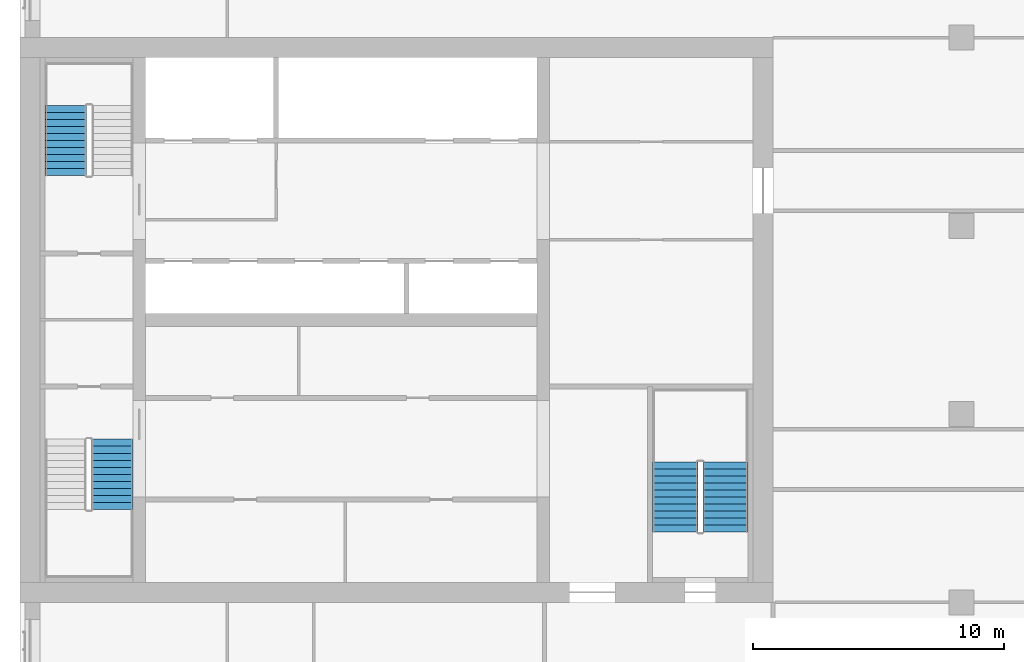
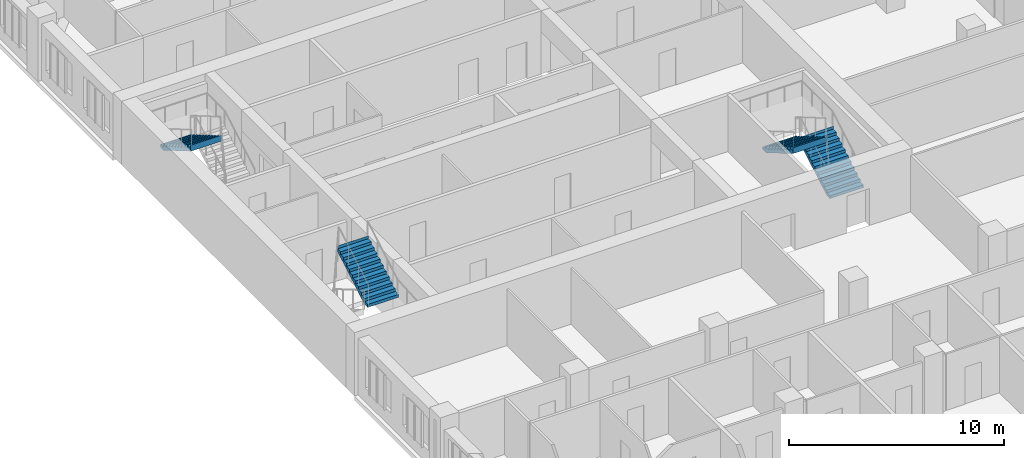
# One storey, part 12 of 14: 4 stair flights, 3 elements without a shape of their own.
"""IFC4 building model written with IfcOpenShell, lengths in metres."""

import ifcopenshell
import ifcopenshell.guid

model = None  # the IFC model being written
_history = None  # IfcOwnerHistory: only IFC2X3 demands one
_inside = {}  # id of a spatial element -> (the spatial element, [elements in it])
_under = {}  # id of a project, library or spatial element -> (it, [spatial elements below it])
_declared = {}  # id of a project -> (the project, [libraries it declares])
_typed = {}  # id of a type object -> (the type object, [elements of that type])
_made_of = {}  # id of a material, layer set ... -> (it, [elements and type objects made of it])


def new_model(schema):
    """Start an empty IFC model of exactly this schema.

    Asked for "IFC4X3", IfcOpenShell would pick the latest addendum, in which some entities
    have other attributes; the version numbers below select the first issue.
    IFC2X3 requires an IfcOwnerHistory on every rooted entity: one is made here for all.
    """
    global model, _history
    if schema == "IFC4X3":
        model = ifcopenshell.file(schema_version=(4, 3, 0, 0))
    else:
        model = ifcopenshell.file(schema=schema)
    _inside.clear()
    _under.clear()
    _declared.clear()
    _typed.clear()
    _made_of.clear()
    _history = None
    if model.schema == "IFC2X3":
        org = make("IfcOrganization", Name="unknown")
        user = make(
            "IfcPersonAndOrganization",
            ThePerson=make("IfcPerson", FamilyName="unknown"),
            TheOrganization=org,
        )
        app = make(
            "IfcApplication",
            ApplicationDeveloper=org,
            Version="unknown",
            ApplicationFullName="unknown",
            ApplicationIdentifier="unknown",
        )
        _history = make(
            "IfcOwnerHistory",
            OwningUser=user,
            OwningApplication=app,
            ChangeAction="ADDED",
            CreationDate=0,
        )
    return model


def make(cls, **values):
    """One entity of the class cls with the attributes given. An attribute that is None is left unset."""
    return model.create_entity(
        cls, **{name: value for name, value in values.items() if value is not None}
    )


def rooted(cls, **values):
    """An entity with a GlobalId (a new one), such as an element, a storey or a relation."""
    return make(cls, GlobalId=ifcopenshell.guid.new(), OwnerHistory=_history, **values)


def si_unit(unit_type, name, prefix=None):
    """IfcSIUnit, for example si_unit("LENGTHUNIT", "METRE", prefix="MILLI")."""
    return make("IfcSIUnit", UnitType=unit_type, Prefix=prefix, Name=name)


def assignment(units):
    """IfcUnitAssignment: the units of a project."""
    return None if units is None else make("IfcUnitAssignment", Units=units)


def point(xyz):
    """IfcCartesianPoint."""
    return None if xyz is None else make("IfcCartesianPoint", Coordinates=xyz)


def direction(xyz):
    """IfcDirection."""
    return None if xyz is None else make("IfcDirection", DirectionRatios=xyz)


def frame(location, z_axis=None, x_axis=None):
    """IfcAxis2Placement3D, a coordinate frame: its origin and axes. An axis left out is left unset."""
    return make(
        "IfcAxis2Placement3D",
        Location=point(location),
        Axis=direction(z_axis),
        RefDirection=direction(x_axis),
    )


def origin():
    """The frame at (0, 0, 0) with its axes left unset."""
    return frame((0.0, 0.0, 0.0))


def place(relative_to, where):
    """IfcLocalPlacement: puts the frame where relative to a parent placement (None: the world)."""
    return make(
        "IfcLocalPlacement", PlacementRelTo=relative_to, RelativePlacement=where
    )


def context(
    kind, dimensions, precision=None, world=None, true_north=None, identifier=None
):
    """IfcGeometricRepresentationContext, for example the 3D "Model" context."""
    return make(
        "IfcGeometricRepresentationContext",
        ContextIdentifier=identifier,
        ContextType=kind,
        CoordinateSpaceDimension=dimensions,
        Precision=precision,
        WorldCoordinateSystem=world,
        TrueNorth=true_north,
    )


def subcontext(parent, identifier, kind, view, scale=None):
    """IfcGeometricRepresentationSubContext, for example "Body" below "Model"."""
    return make(
        "IfcGeometricRepresentationSubContext",
        ContextIdentifier=identifier,
        ContextType=kind,
        ParentContext=parent,
        TargetScale=scale,
        TargetView=view,
    )


def project(units=None, contexts=None):
    """IfcProject with its units and contexts."""
    return rooted(
        "IfcProject",
        Name="project",
        RepresentationContexts=contexts,
        UnitsInContext=assignment(units),
    )


def spatial(cls, under=None, at=None, **own):
    """A site, building, storey or space (cls), placed at a placement, below another one or the project."""
    s = rooted(cls, ObjectPlacement=at, **own)
    if under is not None:
        _under.setdefault(under.id(), (under, []))[1].append(s)
    return s


def polyline(points):
    """IfcPolyline through the points."""
    return make("IfcPolyline", Points=[point(p) for p in points])


def outline(outer, holes=None, kind="AREA"):
    """IfcArbitraryClosedProfileDef: a profile drawn as a closed curve; with holes, ...WithVoids."""
    if holes is None:
        return make("IfcArbitraryClosedProfileDef", ProfileType=kind, OuterCurve=outer)
    return make(
        "IfcArbitraryProfileDefWithVoids",
        ProfileType=kind,
        OuterCurve=outer,
        InnerCurves=holes,
    )


def extrude(swept, where, along, depth):
    """IfcExtrudedAreaSolid: the profile swept, set in the frame where, extruded along a direction by depth."""
    return make(
        "IfcExtrudedAreaSolid",
        SweptArea=swept,
        Position=where,
        ExtrudedDirection=direction(along),
        Depth=depth,
    )


def shape(context_of_items, identifier, shape_type, items):
    """IfcShapeRepresentation: the items that make up one representation, for example the "Body"."""
    return make(
        "IfcShapeRepresentation",
        ContextOfItems=context_of_items,
        RepresentationIdentifier=identifier,
        RepresentationType=shape_type,
        Items=items,
    )


def material(Name=None, Category=None):
    """IfcMaterial."""
    return make("IfcMaterial", Name=Name, Category=Category)


def made_of(thing, what):
    """Note that an element or type object is made of a material, layer set ...; save() writes the relation."""
    if what is not None:
        _made_of.setdefault(what.id(), (what, []))[1].append(thing)
    return thing


def type_object(cls, material=None, **own):
    """A type object (cls), such as IfcWallType, which elements share."""
    return made_of(rooted(cls, **own), material)


def element(
    cls,
    number,
    at=None,
    inside=None,
    cuts=None,
    type_object=None,
    material=None,
    context=None,
    identifier="Body",
    shape_type=None,
    held_by="IfcProductDefinitionShape",
    body=None,
    shapes=None,
    **own,
):
    """One element of the class cls, such as IfcWall. Its Tag is "e" and its number.

    at: its placement. inside: the storey or other place that contains it. cuts: it is an
    opening in that element (IfcRelVoidsElement). A single representation is given by context,
    identifier, shape_type and body (its items); several are given by shapes. held_by: the class
    of the entity that holds the representations. save() writes the other relations.
    """
    e = rooted(cls, Tag="e%d" % number, ObjectPlacement=at, **own)
    if body is not None:
        shapes = [shape(context, identifier, shape_type, body)]
    if shapes is not None:
        e.Representation = make(held_by, Representations=shapes)
    if inside is not None:
        _inside.setdefault(inside.id(), (inside, []))[1].append(e)
    if cuts is not None:
        rooted(
            "IfcRelVoidsElement", RelatingBuildingElement=cuts, RelatedOpeningElement=e
        )
    if type_object is not None:
        _typed.setdefault(type_object.id(), (type_object, []))[1].append(e)
    return made_of(e, material)


def aggregate(whole, parts):
    """IfcRelAggregates: a whole, such as a stair, and the parts it consists of."""
    return rooted("IfcRelAggregates", RelatingObject=whole, RelatedObjects=parts)


def save(model, path):
    """Write the relations noted so far, then the file.

    IfcRelAggregates (storeys below a building ...), IfcRelContainedInSpatialStructure (elements
    in a storey), IfcRelDefinesByType, IfcRelAssociatesMaterial and IfcRelDeclares: one each for
    every whole, place, type object, material and project.
    """
    for whole, parts in _under.values():
        aggregate(whole, parts)
    for where, things in _inside.values():
        rooted(
            "IfcRelContainedInSpatialStructure",
            RelatedElements=things,
            RelatingStructure=where,
        )
    for kind, things in _typed.values():
        rooted("IfcRelDefinesByType", RelatedObjects=things, RelatingType=kind)
    for what, things in _made_of.values():
        rooted("IfcRelAssociatesMaterial", RelatedObjects=things, RelatingMaterial=what)
    for by, libraries in _declared.values():
        rooted("IfcRelDeclares", RelatingContext=by, RelatedDefinitions=libraries)
    model.write(path)


model = new_model("IFC4")

# Units and contexts
model_context = context("Model", 3, precision=1e-05, world=origin(), true_north=direction((0.0, 1.0)))
body_context = subcontext(model_context, "Body", "Model", "MODEL_VIEW")
ifc_project = project(units=[si_unit("LENGTHUNIT", "METRE"), si_unit("AREAUNIT", "SQUARE_METRE"), si_unit("VOLUMEUNIT", "CUBIC_METRE"), si_unit("PLANEANGLEUNIT", "RADIAN"), si_unit("MASSUNIT", "GRAM", prefix="KILO")], contexts=[model_context])

# Site, building, storey
site_placement = place(None, origin())
site = spatial("IfcSite", under=ifc_project, at=site_placement, CompositionType="ELEMENT")
building_placement = place(site_placement, origin())
building = spatial("IfcBuilding", under=site, at=building_placement, Name="Tamorin Gate", CompositionType="ELEMENT")
storey_placement = place(building_placement, frame((0.0, 0.0, 162.60009765625)))
storey = spatial("IfcBuildingStorey", under=building, at=storey_placement, Name="L40", CompositionType="ELEMENT", Elevation=162.60009765625)

# Stair, stair flight
ifc_material = material(Name="Concrete C40/50", Category="concrete")
stair_type = type_object("IfcStairType", Name="Exit stair", PredefinedType="HALF_TURN_STAIR", material=ifc_material)
stair_1_placement = place(storey_placement, origin())
stair_1 = element("IfcStair", 1, at=stair_1_placement, inside=storey, type_object=stair_type, Name="L40 stair ST1", PredefinedType="HALF_TURN_STAIR")
stair_flight_type = type_object("IfcStairFlightType", Name="Exit stair flight", PredefinedType="STRAIGHT", material=ifc_material)
stair_flight_1_placement = place(storey_placement, frame((33.675048828125, 63.699951171875, 1.7998046875), z_axis=(0.0, 0.0, 1.0), x_axis=(0.0, 1.0, 0.0)))
stair_flight_1 = element("IfcStairFlight", 2, at=stair_flight_1_placement, type_object=stair_flight_type, Name="ST1 flight 2", NumberOfRisers=11, NumberOfTreads=10, PredefinedType="STRAIGHT", RiserHeight=0.163636364, TreadLength=0.28, context=body_context, shape_type="SweptSolid", body=[
    extrude(outline(polyline([(-0.00048828125, 0.0), (-0.00048828125, 0.001708984375), (-0.00048828125, 0.003173828125), (-0.00048828125, 0.0048828125), (-0.00048828125, 0.006591796875), (-0.00048828125, 0.008056640625), (-0.00048828125, 0.009765625), (-0.00048828125, 0.01123046875), (-0.00048828125, 0.012939453125), (-0.00048828125, 0.0146484375), (-0.00048828125, 0.01611328125), (-0.00048828125, 0.017822265625), (-0.00048828125, 0.01953125), (-0.00048828125, 0.02099609375), (-0.00048828125, 0.022705078125), (-0.00048828125, 0.0244140625), (-0.00048828125, 0.02587890625), (-0.00048828125, 0.027587890625), (-0.00048828125, 0.029052734375), (-0.00048828125, 0.03076171875), (-0.00048828125, 0.032470703125), (-0.00048828125, 0.033935546875), (-0.00048828125, 0.03564453125), (-0.00048828125, 0.037353515625), (-0.00048828125, 0.038818359375), (-0.00048828125, 0.04052734375), (-0.00048828125, 0.042236328125), (-0.00048828125, 0.043701171875), (-0.00048828125, 0.04541015625), (-0.00048828125, 0.046875), (-0.00048828125, 0.048583984375), (-0.00048828125, 0.05029296875), (-0.00048828125, 0.0517578125), (-0.00048828125, 0.053466796875), (-0.00048828125, 0.05517578125), (-0.00048828125, 0.056640625), (-0.00048828125, 0.058349609375), (-0.00048828125, 0.06005859375), (-0.00048828125, 0.0615234375), (-0.00048828125, 0.063232421875), (-0.00048828125, 0.064697265625), (-0.00048828125, 0.06640625), (-0.00048828125, 0.068115234375), (-0.00048828125, 0.069580078125), (-0.00048828125, 0.0712890625), (-0.00048828125, 0.072998046875), (-0.00048828125, 0.074462890625), (-0.00048828125, 0.076171875), (-0.00048828125, 0.077880859375), (-0.00048828125, 0.079345703125), (-0.00048828125, 0.0810546875), (-0.00048828125, 0.08251953125), (-0.00048828125, 0.084228515625), (-0.00048828125, 0.0859375), (-0.00048828125, 0.08740234375), (-0.00048828125, 0.089111328125), (-0.00048828125, 0.0908203125), (-0.00048828125, 0.09228515625), (-0.00048828125, 0.093994140625), (-0.00048828125, 0.095703125), (-0.00048828125, 0.09716796875), (-0.00048828125, 0.098876953125), (-0.00048828125, 0.100341796875), (-0.00048828125, 0.10205078125), (-0.00048828125, 0.103759765625), (-0.00048828125, 0.105224609375), (-0.00048828125, 0.10693359375), (-0.00048828125, 0.108642578125), (-0.00048828125, 0.110107421875), (-0.00048828125, 0.11181640625), (-0.00048828125, 0.113525390625), (-0.00048828125, 0.114990234375), (-0.00048828125, 0.11669921875), (-0.00048828125, 0.1181640625), (-0.00048828125, 0.119873046875), (-0.00048828125, 0.12158203125), (-0.00048828125, 0.123046875), (-0.00048828125, 0.124755859375), (-0.00048828125, 0.12646484375), (-0.00048828125, 0.1279296875), (-0.00048828125, 0.129638671875), (-0.00048828125, 0.13134765625), (-0.00048828125, 0.1328125), (-0.00048828125, 0.134521484375), (-0.00048828125, 0.135986328125), (-0.00048828125, 0.1376953125), (-0.00048828125, 0.139404296875), (-0.00048828125, 0.140869140625), (-0.00048828125, 0.142578125), (-0.00048828125, 0.144287109375), (-0.00048828125, 0.145751953125), (-0.00048828125, 0.1474609375), (-0.00048828125, 0.149169921875), (-0.00048828125, 0.150634765625), (-0.00048828125, 0.15234375), (-0.00048828125, 0.15380859375), (-0.00048828125, 0.155517578125), (-0.00048828125, 0.1572265625), (-0.00048828125, 0.15869140625), (-0.00048828125, 0.160400390625), (-0.00048828125, 0.162109375), (-0.00048828125, 0.16357421875), (0.280029296875, 0.16357421875), (0.280029296875, 0.327392578125), (0.56005859375, 0.327392578125), (0.56005859375, 0.490966796875), (0.840087890625, 0.490966796875), (0.840087890625, 0.654541015625), (1.1201171875, 0.654541015625), (1.1201171875, 0.818115234375), (1.39990234375, 0.818115234375), (1.39990234375, 0.98193359375), (1.679931640625, 0.98193359375), (1.679931640625, 1.1455078125), (1.9599609375, 1.1455078125), (1.9599609375, 1.30908203125), (2.239990234375, 1.30908203125), (2.239990234375, 1.47265625), (2.52001953125, 1.47265625), (2.52001953125, 1.636474609375), (2.800048828125, 1.636474609375), (2.800048828125, 1.800048828125), (2.800537109375, 1.800048828125), (2.800537109375, 1.796630859375), (2.800537109375, 1.793212890625), (2.800537109375, 1.7900390625), (2.800537109375, 1.78662109375), (2.800537109375, 1.783203125), (2.800537109375, 1.780029296875), (2.800537109375, 1.776611328125), (2.800537109375, 1.773193359375), (2.800537109375, 1.77001953125), (2.800537109375, 1.7666015625), (2.800537109375, 1.76318359375), (2.800537109375, 1.760009765625), (2.800537109375, 1.756591796875), (2.800537109375, 1.753173828125), (2.800537109375, 1.75), (2.800537109375, 1.74658203125), (2.800537109375, 1.7431640625), (2.800537109375, 1.739990234375), (2.800537109375, 1.736572265625), (2.800537109375, 1.733154296875), (2.800537109375, 1.72998046875), (2.800537109375, 1.7265625), (2.800537109375, 1.72314453125), (2.800537109375, 1.719970703125), (2.800537109375, 1.716552734375), (2.800537109375, 1.713134765625), (2.800537109375, 1.7099609375), (2.800537109375, 1.70654296875), (2.800537109375, 1.703125), (2.800537109375, 1.69970703125), (2.800537109375, 1.696533203125), (2.800537109375, 1.693115234375), (2.800537109375, 1.689697265625), (2.800537109375, 1.6865234375), (2.800537109375, 1.68310546875), (2.800537109375, 1.6796875), (2.800537109375, 1.676513671875), (2.800537109375, 1.673095703125), (2.800537109375, 1.669677734375), (2.800537109375, 1.66650390625), (2.800537109375, 1.6630859375), (2.800537109375, 1.65966796875), (2.800537109375, 1.656494140625), (2.800537109375, 1.653076171875), (2.800537109375, 1.649658203125), (2.800537109375, 1.646484375), (2.800537109375, 1.64306640625), (2.800537109375, 1.6396484375), (2.800537109375, 1.636474609375), (2.800537109375, 1.633056640625), (2.800537109375, 1.629638671875), (2.800537109375, 1.62646484375), (2.800537109375, 1.623046875), (2.800537109375, 1.61962890625), (2.800537109375, 1.616455078125), (2.800537109375, 1.613037109375), (2.800537109375, 1.609619140625), (2.800537109375, 1.6064453125), (2.800537109375, 1.60302734375), (2.800537109375, 1.599609375), (2.800537109375, 1.59619140625), (2.800537109375, 1.593017578125), (2.800537109375, 1.589599609375), (2.800537109375, 1.586181640625), (2.800537109375, 1.5830078125), (2.800537109375, 1.57958984375), (2.800537109375, 1.576171875), (2.800537109375, 1.572998046875), (2.800537109375, 1.569580078125), (2.800537109375, 1.566162109375), (2.800537109375, 1.56298828125), (2.800537109375, 1.5595703125), (2.800537109375, 1.55615234375), (2.800537109375, 1.552978515625), (2.800537109375, 1.549560546875), (2.800537109375, 1.546142578125), (2.800537109375, 1.54296875), (2.800537109375, 1.53955078125), (2.800537109375, 1.5361328125), (2.800537109375, 1.532958984375), (2.800537109375, 1.529541015625), (2.800537109375, 1.526123046875), (2.800537109375, 1.52294921875), (2.800537109375, 1.51953125), (2.800537109375, 1.51611328125), (2.800537109375, 1.512939453125), (2.800537109375, 1.509521484375), (2.800537109375, 1.506103515625), (2.800537109375, 1.5029296875), (2.800537109375, 1.49951171875), (2.800537109375, 1.49609375), (2.800537109375, 1.49267578125), (2.800537109375, 1.489501953125), (2.800537109375, 1.486083984375), (2.800537109375, 1.482666015625), (2.800537109375, 1.4794921875), (2.800537109375, 1.47607421875), (2.800537109375, 1.47265625), (2.800537109375, 1.469482421875), (2.800537109375, 1.466064453125), (2.800537109375, 1.462646484375), (2.800048828125, 1.462646484375), (0.297119140625, 0.0), (-0.00048828125, 0.0)])), frame((0.0, 0.824951171875, 0.0), z_axis=(0.0, -1.0, 0.0), x_axis=(1.0, 0.0, 0.0)), (0.0, 0.0, 1.0), 1.64990234375),
])
aggregate(stair_1, [stair_flight_1])

stair_2_placement = place(storey_placement, origin())
stair_2 = element("IfcStair", 3, at=stair_2_placement, inside=storey, type_object=stair_type, Name="L40 stair ST2", PredefinedType="HALF_TURN_STAIR")
stair_flight_2_placement = place(storey_placement, frame((31.824951171875, 79.800048828125, 1.7998046875), z_axis=(0.0, 0.0, 1.0), x_axis=(0.0, -1.0, 0.0)))
stair_flight_2 = element("IfcStairFlight", 4, at=stair_flight_2_placement, type_object=stair_flight_type, Name="ST2 flight 2", NumberOfRisers=11, NumberOfTreads=10, PredefinedType="STRAIGHT", RiserHeight=0.163636364, TreadLength=0.28, context=body_context, shape_type="SweptSolid", body=[
    extrude(outline(polyline([(-0.00048828125, 0.0), (-0.00048828125, 0.001708984375), (-0.00048828125, 0.003173828125), (-0.00048828125, 0.0048828125), (-0.00048828125, 0.006591796875), (-0.00048828125, 0.008056640625), (-0.00048828125, 0.009765625), (-0.00048828125, 0.01123046875), (-0.00048828125, 0.012939453125), (-0.00048828125, 0.0146484375), (-0.00048828125, 0.01611328125), (-0.00048828125, 0.017822265625), (-0.00048828125, 0.01953125), (-0.00048828125, 0.02099609375), (-0.00048828125, 0.022705078125), (-0.00048828125, 0.0244140625), (-0.00048828125, 0.02587890625), (-0.00048828125, 0.027587890625), (-0.00048828125, 0.029052734375), (-0.00048828125, 0.03076171875), (-0.00048828125, 0.032470703125), (-0.00048828125, 0.033935546875), (-0.00048828125, 0.03564453125), (-0.00048828125, 0.037353515625), (-0.00048828125, 0.038818359375), (-0.00048828125, 0.04052734375), (-0.00048828125, 0.042236328125), (-0.00048828125, 0.043701171875), (-0.00048828125, 0.04541015625), (-0.00048828125, 0.046875), (-0.00048828125, 0.048583984375), (-0.00048828125, 0.05029296875), (-0.00048828125, 0.0517578125), (-0.00048828125, 0.053466796875), (-0.00048828125, 0.05517578125), (-0.00048828125, 0.056640625), (-0.00048828125, 0.058349609375), (-0.00048828125, 0.06005859375), (-0.00048828125, 0.0615234375), (-0.00048828125, 0.063232421875), (-0.00048828125, 0.064697265625), (-0.00048828125, 0.06640625), (-0.00048828125, 0.068115234375), (-0.00048828125, 0.069580078125), (-0.00048828125, 0.0712890625), (-0.00048828125, 0.072998046875), (-0.00048828125, 0.074462890625), (-0.00048828125, 0.076171875), (-0.00048828125, 0.077880859375), (-0.00048828125, 0.079345703125), (-0.00048828125, 0.0810546875), (-0.00048828125, 0.08251953125), (-0.00048828125, 0.084228515625), (-0.00048828125, 0.0859375), (-0.00048828125, 0.08740234375), (-0.00048828125, 0.089111328125), (-0.00048828125, 0.0908203125), (-0.00048828125, 0.09228515625), (-0.00048828125, 0.093994140625), (-0.00048828125, 0.095703125), (-0.00048828125, 0.09716796875), (-0.00048828125, 0.098876953125), (-0.00048828125, 0.100341796875), (-0.00048828125, 0.10205078125), (-0.00048828125, 0.103759765625), (-0.00048828125, 0.105224609375), (-0.00048828125, 0.10693359375), (-0.00048828125, 0.108642578125), (-0.00048828125, 0.110107421875), (-0.00048828125, 0.11181640625), (-0.00048828125, 0.113525390625), (-0.00048828125, 0.114990234375), (-0.00048828125, 0.11669921875), (-0.00048828125, 0.1181640625), (-0.00048828125, 0.119873046875), (-0.00048828125, 0.12158203125), (-0.00048828125, 0.123046875), (-0.00048828125, 0.124755859375), (-0.00048828125, 0.12646484375), (-0.00048828125, 0.1279296875), (-0.00048828125, 0.129638671875), (-0.00048828125, 0.13134765625), (-0.00048828125, 0.1328125), (-0.00048828125, 0.134521484375), (-0.00048828125, 0.135986328125), (-0.00048828125, 0.1376953125), (-0.00048828125, 0.139404296875), (-0.00048828125, 0.140869140625), (-0.00048828125, 0.142578125), (-0.00048828125, 0.144287109375), (-0.00048828125, 0.145751953125), (-0.00048828125, 0.1474609375), (-0.00048828125, 0.149169921875), (-0.00048828125, 0.150634765625), (-0.00048828125, 0.15234375), (-0.00048828125, 0.15380859375), (-0.00048828125, 0.155517578125), (-0.00048828125, 0.1572265625), (-0.00048828125, 0.15869140625), (-0.00048828125, 0.160400390625), (-0.00048828125, 0.162109375), (-0.00048828125, 0.16357421875), (0.280029296875, 0.16357421875), (0.280029296875, 0.327392578125), (0.56005859375, 0.327392578125), (0.56005859375, 0.490966796875), (0.840087890625, 0.490966796875), (0.840087890625, 0.654541015625), (1.1201171875, 0.654541015625), (1.1201171875, 0.818115234375), (1.39990234375, 0.818115234375), (1.39990234375, 0.98193359375), (1.679931640625, 0.98193359375), (1.679931640625, 1.1455078125), (1.9599609375, 1.1455078125), (1.9599609375, 1.30908203125), (2.239990234375, 1.30908203125), (2.239990234375, 1.47265625), (2.52001953125, 1.47265625), (2.52001953125, 1.636474609375), (2.800048828125, 1.636474609375), (2.800048828125, 1.800048828125), (2.800537109375, 1.800048828125), (2.800537109375, 1.796630859375), (2.800537109375, 1.793212890625), (2.800537109375, 1.7900390625), (2.800537109375, 1.78662109375), (2.800537109375, 1.783203125), (2.800537109375, 1.780029296875), (2.800537109375, 1.776611328125), (2.800537109375, 1.773193359375), (2.800537109375, 1.77001953125), (2.800537109375, 1.7666015625), (2.800537109375, 1.76318359375), (2.800537109375, 1.760009765625), (2.800537109375, 1.756591796875), (2.800537109375, 1.753173828125), (2.800537109375, 1.75), (2.800537109375, 1.74658203125), (2.800537109375, 1.7431640625), (2.800537109375, 1.739990234375), (2.800537109375, 1.736572265625), (2.800537109375, 1.733154296875), (2.800537109375, 1.72998046875), (2.800537109375, 1.7265625), (2.800537109375, 1.72314453125), (2.800537109375, 1.719970703125), (2.800537109375, 1.716552734375), (2.800537109375, 1.713134765625), (2.800537109375, 1.7099609375), (2.800537109375, 1.70654296875), (2.800537109375, 1.703125), (2.800537109375, 1.69970703125), (2.800537109375, 1.696533203125), (2.800537109375, 1.693115234375), (2.800537109375, 1.689697265625), (2.800537109375, 1.6865234375), (2.800537109375, 1.68310546875), (2.800537109375, 1.6796875), (2.800537109375, 1.676513671875), (2.800537109375, 1.673095703125), (2.800537109375, 1.669677734375), (2.800537109375, 1.66650390625), (2.800537109375, 1.6630859375), (2.800537109375, 1.65966796875), (2.800537109375, 1.656494140625), (2.800537109375, 1.653076171875), (2.800537109375, 1.649658203125), (2.800537109375, 1.646484375), (2.800537109375, 1.64306640625), (2.800537109375, 1.6396484375), (2.800537109375, 1.636474609375), (2.800537109375, 1.633056640625), (2.800537109375, 1.629638671875), (2.800537109375, 1.62646484375), (2.800537109375, 1.623046875), (2.800537109375, 1.61962890625), (2.800537109375, 1.616455078125), (2.800537109375, 1.613037109375), (2.800537109375, 1.609619140625), (2.800537109375, 1.6064453125), (2.800537109375, 1.60302734375), (2.800537109375, 1.599609375), (2.800537109375, 1.59619140625), (2.800537109375, 1.593017578125), (2.800537109375, 1.589599609375), (2.800537109375, 1.586181640625), (2.800537109375, 1.5830078125), (2.800537109375, 1.57958984375), (2.800537109375, 1.576171875), (2.800537109375, 1.572998046875), (2.800537109375, 1.569580078125), (2.800537109375, 1.566162109375), (2.800537109375, 1.56298828125), (2.800537109375, 1.5595703125), (2.800537109375, 1.55615234375), (2.800537109375, 1.552978515625), (2.800537109375, 1.549560546875), (2.800537109375, 1.546142578125), (2.800537109375, 1.54296875), (2.800537109375, 1.53955078125), (2.800537109375, 1.5361328125), (2.800537109375, 1.532958984375), (2.800537109375, 1.529541015625), (2.800537109375, 1.526123046875), (2.800537109375, 1.52294921875), (2.800537109375, 1.51953125), (2.800537109375, 1.51611328125), (2.800537109375, 1.512939453125), (2.800537109375, 1.509521484375), (2.800537109375, 1.506103515625), (2.800537109375, 1.5029296875), (2.800537109375, 1.49951171875), (2.800537109375, 1.49609375), (2.800537109375, 1.49267578125), (2.800537109375, 1.489501953125), (2.800537109375, 1.486083984375), (2.800537109375, 1.482666015625), (2.800537109375, 1.4794921875), (2.800537109375, 1.47607421875), (2.800537109375, 1.47265625), (2.800537109375, 1.469482421875), (2.800537109375, 1.466064453125), (2.800537109375, 1.462646484375), (2.800048828125, 1.462646484375), (0.297119140625, 0.0), (-0.00048828125, 0.0)])), frame((0.0, 0.824951171875, 0.0), z_axis=(0.0, -1.0, 0.0), x_axis=(1.0, 0.0, 0.0)), (0.0, 0.0, 1.0), 1.64990234375),
])
aggregate(stair_2, [stair_flight_2])

# Stair, stair flights
stair_3_placement = place(storey_placement, origin())
stair_3 = element("IfcStair", 5, at=stair_3_placement, inside=storey, type_object=stair_type, Name="L40 stair ST3", PredefinedType="HALF_TURN_STAIR")
stair_flight_3_placement = place(storey_placement, frame((58.10009765625, 62.800048828125, 0.0), z_axis=(0.0, 0.0, 1.0), x_axis=(0.0, 1.0, 0.0)))
stair_flight_3 = element("IfcStairFlight", 6, at=stair_flight_3_placement, type_object=stair_flight_type, Name="ST3 flight 1", NumberOfRisers=11, NumberOfTreads=10, PredefinedType="STRAIGHT", RiserHeight=0.163636364, TreadLength=0.28, context=body_context, shape_type="SweptSolid", body=[
    extrude(outline(polyline([(-0.00048828125, 0.0), (-0.00048828125, 0.001708984375), (-0.00048828125, 0.003173828125), (-0.00048828125, 0.0048828125), (-0.00048828125, 0.006591796875), (-0.00048828125, 0.008056640625), (-0.00048828125, 0.009765625), (-0.00048828125, 0.01123046875), (-0.00048828125, 0.012939453125), (-0.00048828125, 0.0146484375), (-0.00048828125, 0.01611328125), (-0.00048828125, 0.017822265625), (-0.00048828125, 0.01953125), (-0.00048828125, 0.02099609375), (-0.00048828125, 0.022705078125), (-0.00048828125, 0.0244140625), (-0.00048828125, 0.02587890625), (-0.00048828125, 0.027587890625), (-0.00048828125, 0.029052734375), (-0.00048828125, 0.03076171875), (-0.00048828125, 0.032470703125), (-0.00048828125, 0.033935546875), (-0.00048828125, 0.03564453125), (-0.00048828125, 0.037353515625), (-0.00048828125, 0.038818359375), (-0.00048828125, 0.04052734375), (-0.00048828125, 0.042236328125), (-0.00048828125, 0.043701171875), (-0.00048828125, 0.04541015625), (-0.00048828125, 0.046875), (-0.00048828125, 0.048583984375), (-0.00048828125, 0.05029296875), (-0.00048828125, 0.0517578125), (-0.00048828125, 0.053466796875), (-0.00048828125, 0.05517578125), (-0.00048828125, 0.056640625), (-0.00048828125, 0.058349609375), (-0.00048828125, 0.06005859375), (-0.00048828125, 0.0615234375), (-0.00048828125, 0.063232421875), (-0.00048828125, 0.064697265625), (-0.00048828125, 0.06640625), (-0.00048828125, 0.068115234375), (-0.00048828125, 0.069580078125), (-0.00048828125, 0.0712890625), (-0.00048828125, 0.072998046875), (-0.00048828125, 0.074462890625), (-0.00048828125, 0.076171875), (-0.00048828125, 0.077880859375), (-0.00048828125, 0.079345703125), (-0.00048828125, 0.0810546875), (-0.00048828125, 0.08251953125), (-0.00048828125, 0.084228515625), (-0.00048828125, 0.0859375), (-0.00048828125, 0.08740234375), (-0.00048828125, 0.089111328125), (-0.00048828125, 0.0908203125), (-0.00048828125, 0.09228515625), (-0.00048828125, 0.093994140625), (-0.00048828125, 0.095703125), (-0.00048828125, 0.09716796875), (-0.00048828125, 0.098876953125), (-0.00048828125, 0.100341796875), (-0.00048828125, 0.10205078125), (-0.00048828125, 0.103759765625), (-0.00048828125, 0.105224609375), (-0.00048828125, 0.10693359375), (-0.00048828125, 0.108642578125), (-0.00048828125, 0.110107421875), (-0.00048828125, 0.11181640625), (-0.00048828125, 0.113525390625), (-0.00048828125, 0.114990234375), (-0.00048828125, 0.11669921875), (-0.00048828125, 0.1181640625), (-0.00048828125, 0.119873046875), (-0.00048828125, 0.12158203125), (-0.00048828125, 0.123046875), (-0.00048828125, 0.124755859375), (-0.00048828125, 0.12646484375), (-0.00048828125, 0.1279296875), (-0.00048828125, 0.129638671875), (-0.00048828125, 0.13134765625), (-0.00048828125, 0.1328125), (-0.00048828125, 0.134521484375), (-0.00048828125, 0.135986328125), (-0.00048828125, 0.1376953125), (-0.00048828125, 0.139404296875), (-0.00048828125, 0.140869140625), (-0.00048828125, 0.142578125), (-0.00048828125, 0.144287109375), (-0.00048828125, 0.145751953125), (-0.00048828125, 0.1474609375), (-0.00048828125, 0.149169921875), (-0.00048828125, 0.150634765625), (-0.00048828125, 0.15234375), (-0.00048828125, 0.15380859375), (-0.00048828125, 0.155517578125), (-0.00048828125, 0.1572265625), (-0.00048828125, 0.15869140625), (-0.00048828125, 0.160400390625), (-0.00048828125, 0.162109375), (-0.00048828125, 0.16357421875), (0.280029296875, 0.16357421875), (0.280029296875, 0.327392578125), (0.56005859375, 0.327392578125), (0.56005859375, 0.490966796875), (0.840087890625, 0.490966796875), (0.840087890625, 0.654541015625), (1.1201171875, 0.654541015625), (1.1201171875, 0.818115234375), (1.39990234375, 0.818115234375), (1.39990234375, 0.98193359375), (1.679931640625, 0.98193359375), (1.679931640625, 1.1455078125), (1.9599609375, 1.1455078125), (1.9599609375, 1.30908203125), (2.239990234375, 1.30908203125), (2.239990234375, 1.47265625), (2.52001953125, 1.47265625), (2.52001953125, 1.636474609375), (2.800048828125, 1.636474609375), (2.800048828125, 1.800048828125), (2.800537109375, 1.800048828125), (2.800537109375, 1.796630859375), (2.800537109375, 1.793212890625), (2.800537109375, 1.7900390625), (2.800537109375, 1.78662109375), (2.800537109375, 1.783203125), (2.800537109375, 1.780029296875), (2.800537109375, 1.776611328125), (2.800537109375, 1.773193359375), (2.800537109375, 1.77001953125), (2.800537109375, 1.7666015625), (2.800537109375, 1.76318359375), (2.800537109375, 1.760009765625), (2.800537109375, 1.756591796875), (2.800537109375, 1.753173828125), (2.800537109375, 1.75), (2.800537109375, 1.74658203125), (2.800537109375, 1.7431640625), (2.800537109375, 1.739990234375), (2.800537109375, 1.736572265625), (2.800537109375, 1.733154296875), (2.800537109375, 1.72998046875), (2.800537109375, 1.7265625), (2.800537109375, 1.72314453125), (2.800537109375, 1.719970703125), (2.800537109375, 1.716552734375), (2.800537109375, 1.713134765625), (2.800537109375, 1.7099609375), (2.800537109375, 1.70654296875), (2.800537109375, 1.703125), (2.800537109375, 1.69970703125), (2.800537109375, 1.696533203125), (2.800537109375, 1.693115234375), (2.800537109375, 1.689697265625), (2.800537109375, 1.6865234375), (2.800537109375, 1.68310546875), (2.800537109375, 1.6796875), (2.800537109375, 1.676513671875), (2.800537109375, 1.673095703125), (2.800537109375, 1.669677734375), (2.800537109375, 1.66650390625), (2.800537109375, 1.6630859375), (2.800537109375, 1.65966796875), (2.800537109375, 1.656494140625), (2.800537109375, 1.653076171875), (2.800537109375, 1.649658203125), (2.800537109375, 1.646484375), (2.800537109375, 1.64306640625), (2.800537109375, 1.6396484375), (2.800537109375, 1.636474609375), (2.800537109375, 1.633056640625), (2.800537109375, 1.629638671875), (2.800537109375, 1.62646484375), (2.800537109375, 1.623046875), (2.800537109375, 1.61962890625), (2.800537109375, 1.616455078125), (2.800537109375, 1.613037109375), (2.800537109375, 1.609619140625), (2.800537109375, 1.6064453125), (2.800537109375, 1.60302734375), (2.800537109375, 1.599609375), (2.800537109375, 1.59619140625), (2.800537109375, 1.593017578125), (2.800537109375, 1.589599609375), (2.800537109375, 1.586181640625), (2.800537109375, 1.5830078125), (2.800537109375, 1.57958984375), (2.800537109375, 1.576171875), (2.800537109375, 1.572998046875), (2.800537109375, 1.569580078125), (2.800537109375, 1.566162109375), (2.800537109375, 1.56298828125), (2.800537109375, 1.5595703125), (2.800537109375, 1.55615234375), (2.800537109375, 1.552978515625), (2.800537109375, 1.549560546875), (2.800537109375, 1.546142578125), (2.800537109375, 1.54296875), (2.800537109375, 1.53955078125), (2.800537109375, 1.5361328125), (2.800537109375, 1.532958984375), (2.800537109375, 1.529541015625), (2.800537109375, 1.526123046875), (2.800537109375, 1.52294921875), (2.800537109375, 1.51953125), (2.800537109375, 1.51611328125), (2.800537109375, 1.512939453125), (2.800537109375, 1.509521484375), (2.800537109375, 1.506103515625), (2.800537109375, 1.5029296875), (2.800537109375, 1.49951171875), (2.800537109375, 1.49609375), (2.800537109375, 1.49267578125), (2.800537109375, 1.489501953125), (2.800537109375, 1.486083984375), (2.800537109375, 1.482666015625), (2.800537109375, 1.4794921875), (2.800537109375, 1.47607421875), (2.800537109375, 1.47265625), (2.800537109375, 1.469482421875), (2.800537109375, 1.466064453125), (2.800537109375, 1.462646484375), (2.800048828125, 1.462646484375), (0.297119140625, 0.0), (-0.00048828125, 0.0)])), frame((0.0, 0.89990234375, 0.0), z_axis=(0.0, -1.0, 0.0), x_axis=(1.0, 0.0, 0.0)), (0.0, 0.0, 1.0), 1.800048828125),
])
stair_flight_4_placement = place(storey_placement, frame((56.10009765625, 65.60009765625, 1.7998046875), z_axis=(0.0, 0.0, 1.0), x_axis=(0.0, -1.0, 0.0)))
stair_flight_4 = element("IfcStairFlight", 7, at=stair_flight_4_placement, type_object=stair_flight_type, Name="ST3 flight 2", NumberOfRisers=11, NumberOfTreads=10, PredefinedType="STRAIGHT", RiserHeight=0.163636364, TreadLength=0.28, context=body_context, shape_type="SweptSolid", body=[
    extrude(outline(polyline([(-0.00048828125, 0.0), (-0.00048828125, 0.001708984375), (-0.00048828125, 0.003173828125), (-0.00048828125, 0.0048828125), (-0.00048828125, 0.006591796875), (-0.00048828125, 0.008056640625), (-0.00048828125, 0.009765625), (-0.00048828125, 0.01123046875), (-0.00048828125, 0.012939453125), (-0.00048828125, 0.0146484375), (-0.00048828125, 0.01611328125), (-0.00048828125, 0.017822265625), (-0.00048828125, 0.01953125), (-0.00048828125, 0.02099609375), (-0.00048828125, 0.022705078125), (-0.00048828125, 0.0244140625), (-0.00048828125, 0.02587890625), (-0.00048828125, 0.027587890625), (-0.00048828125, 0.029052734375), (-0.00048828125, 0.03076171875), (-0.00048828125, 0.032470703125), (-0.00048828125, 0.033935546875), (-0.00048828125, 0.03564453125), (-0.00048828125, 0.037353515625), (-0.00048828125, 0.038818359375), (-0.00048828125, 0.04052734375), (-0.00048828125, 0.042236328125), (-0.00048828125, 0.043701171875), (-0.00048828125, 0.04541015625), (-0.00048828125, 0.046875), (-0.00048828125, 0.048583984375), (-0.00048828125, 0.05029296875), (-0.00048828125, 0.0517578125), (-0.00048828125, 0.053466796875), (-0.00048828125, 0.05517578125), (-0.00048828125, 0.056640625), (-0.00048828125, 0.058349609375), (-0.00048828125, 0.06005859375), (-0.00048828125, 0.0615234375), (-0.00048828125, 0.063232421875), (-0.00048828125, 0.064697265625), (-0.00048828125, 0.06640625), (-0.00048828125, 0.068115234375), (-0.00048828125, 0.069580078125), (-0.00048828125, 0.0712890625), (-0.00048828125, 0.072998046875), (-0.00048828125, 0.074462890625), (-0.00048828125, 0.076171875), (-0.00048828125, 0.077880859375), (-0.00048828125, 0.079345703125), (-0.00048828125, 0.0810546875), (-0.00048828125, 0.08251953125), (-0.00048828125, 0.084228515625), (-0.00048828125, 0.0859375), (-0.00048828125, 0.08740234375), (-0.00048828125, 0.089111328125), (-0.00048828125, 0.0908203125), (-0.00048828125, 0.09228515625), (-0.00048828125, 0.093994140625), (-0.00048828125, 0.095703125), (-0.00048828125, 0.09716796875), (-0.00048828125, 0.098876953125), (-0.00048828125, 0.100341796875), (-0.00048828125, 0.10205078125), (-0.00048828125, 0.103759765625), (-0.00048828125, 0.105224609375), (-0.00048828125, 0.10693359375), (-0.00048828125, 0.108642578125), (-0.00048828125, 0.110107421875), (-0.00048828125, 0.11181640625), (-0.00048828125, 0.113525390625), (-0.00048828125, 0.114990234375), (-0.00048828125, 0.11669921875), (-0.00048828125, 0.1181640625), (-0.00048828125, 0.119873046875), (-0.00048828125, 0.12158203125), (-0.00048828125, 0.123046875), (-0.00048828125, 0.124755859375), (-0.00048828125, 0.12646484375), (-0.00048828125, 0.1279296875), (-0.00048828125, 0.129638671875), (-0.00048828125, 0.13134765625), (-0.00048828125, 0.1328125), (-0.00048828125, 0.134521484375), (-0.00048828125, 0.135986328125), (-0.00048828125, 0.1376953125), (-0.00048828125, 0.139404296875), (-0.00048828125, 0.140869140625), (-0.00048828125, 0.142578125), (-0.00048828125, 0.144287109375), (-0.00048828125, 0.145751953125), (-0.00048828125, 0.1474609375), (-0.00048828125, 0.149169921875), (-0.00048828125, 0.150634765625), (-0.00048828125, 0.15234375), (-0.00048828125, 0.15380859375), (-0.00048828125, 0.155517578125), (-0.00048828125, 0.1572265625), (-0.00048828125, 0.15869140625), (-0.00048828125, 0.160400390625), (-0.00048828125, 0.162109375), (-0.00048828125, 0.16357421875), (0.280029296875, 0.16357421875), (0.280029296875, 0.327392578125), (0.56005859375, 0.327392578125), (0.56005859375, 0.490966796875), (0.840087890625, 0.490966796875), (0.840087890625, 0.654541015625), (1.1201171875, 0.654541015625), (1.1201171875, 0.818115234375), (1.39990234375, 0.818115234375), (1.39990234375, 0.98193359375), (1.679931640625, 0.98193359375), (1.679931640625, 1.1455078125), (1.9599609375, 1.1455078125), (1.9599609375, 1.30908203125), (2.239990234375, 1.30908203125), (2.239990234375, 1.47265625), (2.52001953125, 1.47265625), (2.52001953125, 1.636474609375), (2.800048828125, 1.636474609375), (2.800048828125, 1.800048828125), (2.800537109375, 1.800048828125), (2.800537109375, 1.796630859375), (2.800537109375, 1.793212890625), (2.800537109375, 1.7900390625), (2.800537109375, 1.78662109375), (2.800537109375, 1.783203125), (2.800537109375, 1.780029296875), (2.800537109375, 1.776611328125), (2.800537109375, 1.773193359375), (2.800537109375, 1.77001953125), (2.800537109375, 1.7666015625), (2.800537109375, 1.76318359375), (2.800537109375, 1.760009765625), (2.800537109375, 1.756591796875), (2.800537109375, 1.753173828125), (2.800537109375, 1.75), (2.800537109375, 1.74658203125), (2.800537109375, 1.7431640625), (2.800537109375, 1.739990234375), (2.800537109375, 1.736572265625), (2.800537109375, 1.733154296875), (2.800537109375, 1.72998046875), (2.800537109375, 1.7265625), (2.800537109375, 1.72314453125), (2.800537109375, 1.719970703125), (2.800537109375, 1.716552734375), (2.800537109375, 1.713134765625), (2.800537109375, 1.7099609375), (2.800537109375, 1.70654296875), (2.800537109375, 1.703125), (2.800537109375, 1.69970703125), (2.800537109375, 1.696533203125), (2.800537109375, 1.693115234375), (2.800537109375, 1.689697265625), (2.800537109375, 1.6865234375), (2.800537109375, 1.68310546875), (2.800537109375, 1.6796875), (2.800537109375, 1.676513671875), (2.800537109375, 1.673095703125), (2.800537109375, 1.669677734375), (2.800537109375, 1.66650390625), (2.800537109375, 1.6630859375), (2.800537109375, 1.65966796875), (2.800537109375, 1.656494140625), (2.800537109375, 1.653076171875), (2.800537109375, 1.649658203125), (2.800537109375, 1.646484375), (2.800537109375, 1.64306640625), (2.800537109375, 1.6396484375), (2.800537109375, 1.636474609375), (2.800537109375, 1.633056640625), (2.800537109375, 1.629638671875), (2.800537109375, 1.62646484375), (2.800537109375, 1.623046875), (2.800537109375, 1.61962890625), (2.800537109375, 1.616455078125), (2.800537109375, 1.613037109375), (2.800537109375, 1.609619140625), (2.800537109375, 1.6064453125), (2.800537109375, 1.60302734375), (2.800537109375, 1.599609375), (2.800537109375, 1.59619140625), (2.800537109375, 1.593017578125), (2.800537109375, 1.589599609375), (2.800537109375, 1.586181640625), (2.800537109375, 1.5830078125), (2.800537109375, 1.57958984375), (2.800537109375, 1.576171875), (2.800537109375, 1.572998046875), (2.800537109375, 1.569580078125), (2.800537109375, 1.566162109375), (2.800537109375, 1.56298828125), (2.800537109375, 1.5595703125), (2.800537109375, 1.55615234375), (2.800537109375, 1.552978515625), (2.800537109375, 1.549560546875), (2.800537109375, 1.546142578125), (2.800537109375, 1.54296875), (2.800537109375, 1.53955078125), (2.800537109375, 1.5361328125), (2.800537109375, 1.532958984375), (2.800537109375, 1.529541015625), (2.800537109375, 1.526123046875), (2.800537109375, 1.52294921875), (2.800537109375, 1.51953125), (2.800537109375, 1.51611328125), (2.800537109375, 1.512939453125), (2.800537109375, 1.509521484375), (2.800537109375, 1.506103515625), (2.800537109375, 1.5029296875), (2.800537109375, 1.49951171875), (2.800537109375, 1.49609375), (2.800537109375, 1.49267578125), (2.800537109375, 1.489501953125), (2.800537109375, 1.486083984375), (2.800537109375, 1.482666015625), (2.800537109375, 1.4794921875), (2.800537109375, 1.47607421875), (2.800537109375, 1.47265625), (2.800537109375, 1.469482421875), (2.800537109375, 1.466064453125), (2.800537109375, 1.462646484375), (2.800048828125, 1.462646484375), (0.297119140625, 0.0), (-0.00048828125, 0.0)])), frame((0.0, 0.89990234375, 0.0), z_axis=(0.0, -1.0, 0.0), x_axis=(1.0, 0.0, 0.0)), (0.0, 0.0, 1.0), 1.800048828125),
])
aggregate(stair_3, [stair_flight_3, stair_flight_4])

save(model, "model.ifc")
